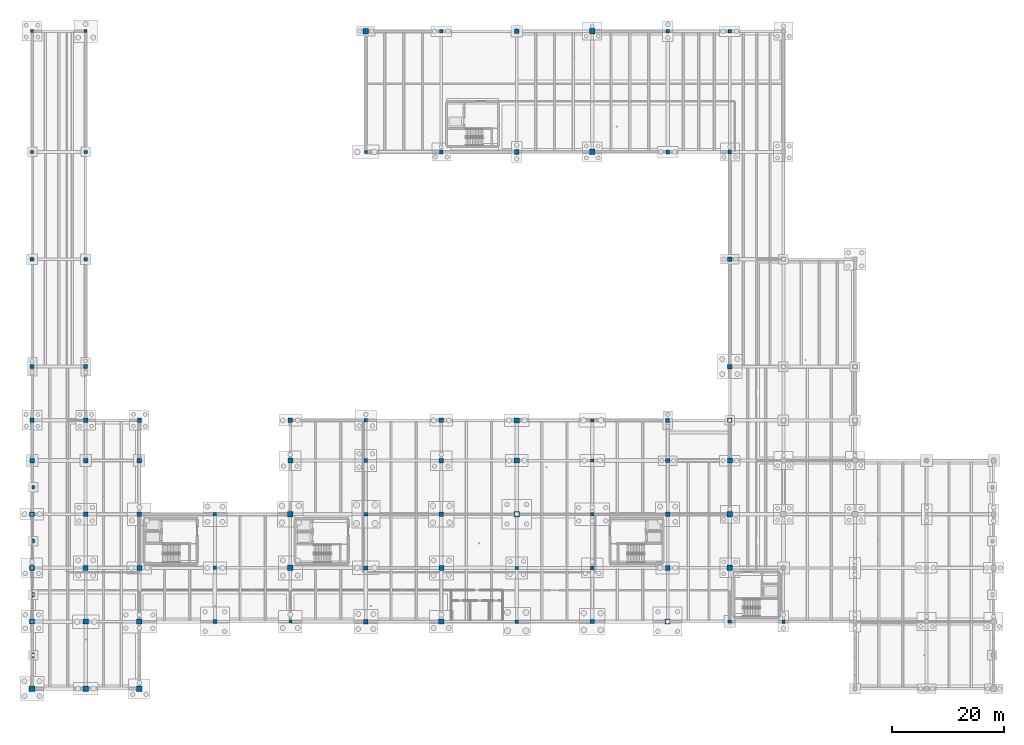
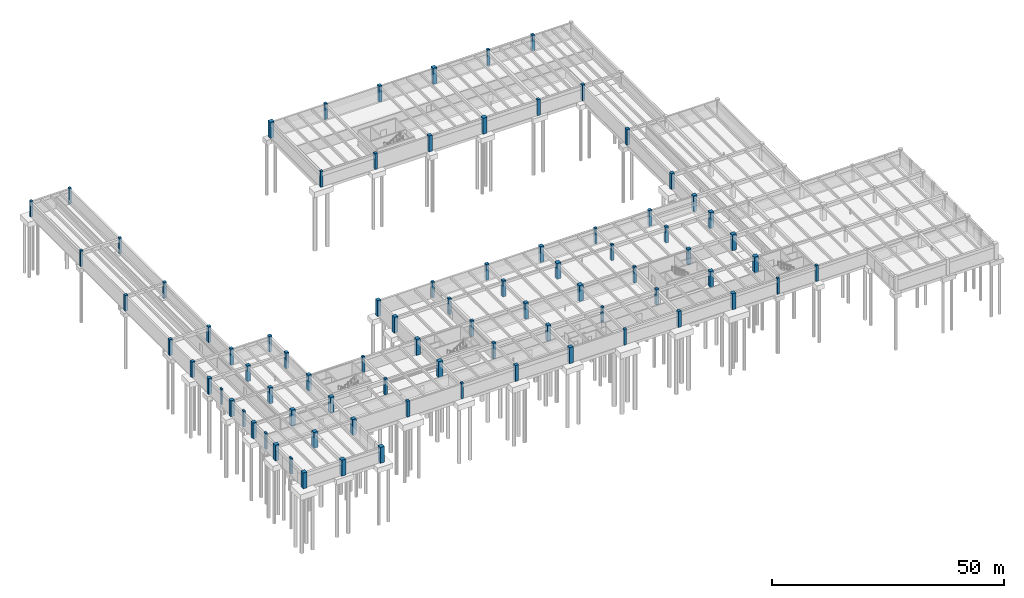
# One storey, part 7 of 41: 83 columns.
"""IFC4 building model written with IfcOpenShell, lengths in metres."""

from ifc_helpers import new_model, si_unit, direction, frame, origin, origin_2d, place, context, subcontext, project, spatial, rectangle, extrude, material, material_profile, profile_set, type_object, element, save


model = new_model("IFC4")

# Units and contexts
model_context = context("Model", 3, precision=1e-05, world=origin(), true_north=direction((0.0, 1.0)))
body_context = subcontext(model_context, "Body", "Model", "MODEL_VIEW")
ifc_project = project(units=[si_unit("LENGTHUNIT", "METRE"), si_unit("AREAUNIT", "SQUARE_METRE"), si_unit("VOLUMEUNIT", "CUBIC_METRE"), si_unit("PLANEANGLEUNIT", "RADIAN"), si_unit("MASSUNIT", "GRAM", prefix="KILO")], contexts=[model_context])

# Site, building, storey
site_placement = place(None, origin())
site = spatial("IfcSite", under=ifc_project, at=site_placement, CompositionType="ELEMENT")
building_placement = place(site_placement, origin())
building = spatial("IfcBuilding", under=site, at=building_placement, Name="Fikremerkos Civic Library", CompositionType="ELEMENT")
storey_placement = place(building_placement, frame((0.0, 0.0, -8.39990234375)))
storey = spatial("IfcBuildingStorey", under=building, at=storey_placement, Name="B02", CompositionType="ELEMENT", Elevation=-8.39990234375)

# Columns
ifc_material_1 = material(Name="Concrete C45/55", Category="concrete")
ifc_material_profile_1 = material_profile(ifc_material_1, rectangle(XDim=1.0, YDim=1.0, at=origin_2d()), Name="RC 1000x1000")
ifc_profile_set_1 = profile_set([ifc_material_profile_1], Name="Concrete C45/55")
column_type_1 = type_object("IfcColumnType", Name="Structural column COL-01 RC 1000x1000", PredefinedType="COLUMN", material=ifc_profile_set_1)
for number, where, z_axis, x_axis, name in (
    (1, (0.0, 0.0, 0.0), (0.0, 0.0, 1.0), (1.0, 0.0, 0.0), "Column COL-01 B02 1/A"),
    (2, (9.60009765625, 0.0, 0.0), (0.0, 0.0, 1.0), (1.0, 0.0, 0.0), "Column COL-01 B02 2/A"),
    (3, (19.199951171875, 0.0, 0.0), (0.0, 0.0, 1.0), (1.0, 0.0, 0.0), "Column COL-01 B02 3/A"),
    (4, (46.199951171875, 21.60009765625, 0.0), (0.0, 0.0, 1.0), (1.0, 0.0, 0.0), "Column COL-01 B02 5/F"),
    (5, (59.699951171875, 117.60009765625, 0.0), (0.0, 0.0, 1.0), (1.0, 0.0, 0.0), "Column COL-01 B02 6/N"),
    (6, (86.699951171875, 31.199951171875, 0.0), (0.0, 0.0, 1.0), (1.0, 0.0, 0.0), "Column COL-01 B02 8/G"),
    (7, (100.199951171875, 96.0, 0.0), (0.0, 0.0, 1.0), (1.0, 0.0, 0.0), "Column COL-01 B02 9/M"),
    (8, (124.800048828125, 21.60009765625, 0.0), (0.0, 0.0, 1.0), (1.0, 0.0, 0.0), "Column COL-01 B02 11/F"),
):
    element("IfcColumn", number, at=place(storey_placement, frame(where, z_axis=z_axis, x_axis=x_axis)), inside=storey, type_object=column_type_1, Name=name, PredefinedType="COLUMN", context=body_context, shape_type="SweptSolid", body=[
        extrude(rectangle(XDim=1.0, YDim=1.0, at=origin_2d()), origin(), (0.0, 0.0, 1.0), 4.199951171875),
    ])
ifc_material_profile_2 = material_profile(ifc_material_1, rectangle(XDim=0.949951171875, YDim=0.949951171875, at=origin_2d()), Name="RC 950x950")
ifc_profile_set_2 = profile_set([ifc_material_profile_2], Name="Concrete C45/55")
column_type_2 = type_object("IfcColumnType", Name="Structural column COL-02 RC 950x950", PredefinedType="COLUMN", material=ifc_profile_set_2)
for number, where, z_axis, x_axis, name in (
    (9, (0.0, 12.0, 0.0), (0.0, 0.0, 1.0), (1.0, 0.0, 0.0), "Column COL-02 B02 1/E"),
    (10, (9.60009765625, 12.0, 0.0), (0.0, 0.0, 1.0), (1.0, 0.0, 0.0), "Column COL-02 B02 2/E"),
    (11, (19.199951171875, 12.0, 0.0), (0.0, 0.0, 1.0), (1.0, 0.0, 0.0), "Column COL-02 B02 3/E"),
    (12, (46.199951171875, 31.199951171875, 0.0), (0.0, 0.0, 1.0), (1.0, 0.0, 0.0), "Column COL-02 B02 5/G"),
    (13, (73.199951171875, 12.0, 0.0), (0.0, 0.0, 1.0), (1.0, 0.0, 0.0), "Column COL-02 B02 7/E"),
    (14, (86.699951171875, 40.800048828125, 0.0), (0.0, 0.0, 1.0), (1.0, 0.0, 0.0), "Column COL-02 B02 8/H"),
    (15, (100.199951171875, 117.60009765625, 0.0), (0.0, 0.0, 1.0), (1.0, 0.0, 0.0), "Column COL-02 B02 9/N"),
    (16, (124.800048828125, 31.199951171875, 0.0), (0.0, 0.0, 1.0), (1.0, 0.0, 0.0), "Column COL-02 B02 11/G"),
):
    element("IfcColumn", number, at=place(storey_placement, frame(where, z_axis=z_axis, x_axis=x_axis)), inside=storey, type_object=column_type_2, Name=name, PredefinedType="COLUMN", context=body_context, shape_type="SweptSolid", body=[
        extrude(rectangle(XDim=0.949951171875, YDim=0.949951171875, at=origin_2d()), origin(), (0.0, 0.0, 1.0), 4.199951171875),
    ])
ifc_material_profile_3 = material_profile(ifc_material_1, rectangle(XDim=0.89990234375, YDim=0.89990234375, at=origin_2d()), Name="RC 900x900")
ifc_profile_set_3 = profile_set([ifc_material_profile_3], Name="Concrete C45/55")
column_type_3 = type_object("IfcColumnType", Name="Structural column COL-03 RC 900x900", PredefinedType="COLUMN", material=ifc_profile_set_3)
for number, where, z_axis, x_axis, name in (
    (17, (0.0, 21.60009765625, 0.0), (0.0, 0.0, 1.0), (1.0, 0.0, 0.0), "Column COL-03 B02 1/F"),
    (18, (9.60009765625, 21.60009765625, 0.0), (0.0, 0.0, 1.0), (1.0, 0.0, 0.0), "Column COL-03 B02 2/F"),
    (19, (19.199951171875, 21.60009765625, 0.0), (0.0, 0.0, 1.0), (1.0, 0.0, 0.0), "Column COL-03 B02 3/F"),
    (20, (46.199951171875, 40.800048828125, 0.0), (0.0, 0.0, 1.0), (1.0, 0.0, 0.0), "Column COL-03 B02 5/H"),
    (21, (73.199951171875, 21.60009765625, 0.0), (0.0, 0.0, 1.0), (1.0, 0.0, 0.0), "Column COL-03 B02 7/F"),
    (22, (86.699951171875, 48.0, 0.0), (0.0, 0.0, 1.0), (1.0, 0.0, 0.0), "Column COL-03 B02 8/J"),
    (23, (113.699951171875, 12.0, 0.0), (0.0, 0.0, 1.0), (1.0, 0.0, 0.0), "Column COL-03 B02 10/E"),
    (24, (124.800048828125, 40.800048828125, 0.0), (0.0, 0.0, 1.0), (1.0, 0.0, 0.0), "Column COL-03 B02 11/H"),
):
    element("IfcColumn", number, at=place(storey_placement, frame(where, z_axis=z_axis, x_axis=x_axis)), inside=storey, type_object=column_type_3, Name=name, PredefinedType="COLUMN", context=body_context, shape_type="SweptSolid", body=[
        extrude(rectangle(XDim=0.89990234375, YDim=0.89990234375, at=origin_2d()), origin(), (0.0, 0.0, 1.0), 4.199951171875),
    ])
ifc_material_2 = material(Name="Concrete C40/50", Category="concrete")
ifc_material_profile_4 = material_profile(ifc_material_2, rectangle(XDim=0.85009765625, YDim=0.85009765625, at=origin_2d()), Name="RC 850x850")
ifc_profile_set_4 = profile_set([ifc_material_profile_4], Name="Concrete C40/50")
column_type_4 = type_object("IfcColumnType", Name="Structural column COL-04 RC 850x850", PredefinedType="COLUMN", material=ifc_profile_set_4)
for number, where, z_axis, x_axis, name in (
    (25, (0.0, 31.199951171875, 0.0), (0.0, 0.0, 1.0), (1.0, 0.0, 0.0), "Column COL-04 B02 1/G"),
    (26, (9.60009765625, 31.199951171875, 0.0), (0.0, 0.0, 1.0), (1.0, 0.0, 0.0), "Column COL-04 B02 2/G"),
    (27, (19.199951171875, 31.199951171875, 0.0), (0.0, 0.0, 1.0), (1.0, 0.0, 0.0), "Column COL-04 B02 3/G"),
    (28, (46.199951171875, 48.0, 0.0), (0.0, 0.0, 1.0), (1.0, 0.0, 0.0), "Column COL-04 B02 5/J"),
    (29, (73.199951171875, 31.199951171875, 0.0), (0.0, 0.0, 1.0), (1.0, 0.0, 0.0), "Column COL-04 B02 7/G"),
    (30, (86.699951171875, 96.0, 0.0), (0.0, 0.0, 1.0), (1.0, 0.0, 0.0), "Column COL-04 B02 8/M"),
    (31, (113.699951171875, 21.60009765625, 0.0), (0.0, 0.0, 1.0), (1.0, 0.0, 0.0), "Column COL-04 B02 10/F"),
    (32, (124.800048828125, 48.0, 0.0), (0.0, 0.0, 1.0), (1.0, 0.0, 0.0), "Column COL-04 B02 11/J"),
):
    element("IfcColumn", number, at=place(storey_placement, frame(where, z_axis=z_axis, x_axis=x_axis)), inside=storey, type_object=column_type_4, Name=name, PredefinedType="COLUMN", context=body_context, shape_type="SweptSolid", body=[
        extrude(rectangle(XDim=0.85009765625, YDim=0.85009765625, at=origin_2d()), origin(), (0.0, 0.0, 1.0), 4.199951171875),
    ])
ifc_material_profile_5 = material_profile(ifc_material_2, rectangle(XDim=0.800048828125, YDim=0.800048828125, at=origin_2d()), Name="RC 800x800")
ifc_profile_set_5 = profile_set([ifc_material_profile_5], Name="Concrete C40/50")
column_type_5 = type_object("IfcColumnType", Name="Structural column COL-05 RC 800x800", PredefinedType="COLUMN", material=ifc_profile_set_5)
for number, where, z_axis, x_axis, name in (
    (33, (0.0, 40.800048828125, 0.0), (0.0, 0.0, 1.0), (1.0, 0.0, 0.0), "Column COL-05 B02 1/H"),
    (34, (9.60009765625, 40.800048828125, 0.0), (0.0, 0.0, 1.0), (1.0, 0.0, 0.0), "Column COL-05 B02 2/H"),
    (35, (19.199951171875, 40.800048828125, 0.0), (0.0, 0.0, 1.0), (1.0, 0.0, 0.0), "Column COL-05 B02 3/H"),
    (36, (59.699951171875, 12.0, 0.0), (0.0, 0.0, 1.0), (1.0, 0.0, 0.0), "Column COL-05 B02 6/E"),
    (37, (73.199951171875, 40.800048828125, 0.0), (0.0, 0.0, 1.0), (1.0, 0.0, 0.0), "Column COL-05 B02 7/H"),
    (38, (86.699951171875, 117.60009765625, 0.0), (0.0, 0.0, 1.0), (1.0, 0.0, 0.0), "Column COL-05 B02 8/N"),
    (39, (113.699951171875, 31.199951171875, 0.0), (0.0, 0.0, 1.0), (1.0, 0.0, 0.0), "Column COL-05 B02 10/G"),
    (40, (124.800048828125, 57.60009765625, 0.0), (0.0, 0.0, 1.0), (1.0, 0.0, 0.0), "Column COL-05 B02 11/K"),
):
    element("IfcColumn", number, at=place(storey_placement, frame(where, z_axis=z_axis, x_axis=x_axis)), inside=storey, type_object=column_type_5, Name=name, PredefinedType="COLUMN", context=body_context, shape_type="SweptSolid", body=[
        extrude(rectangle(XDim=0.800048828125, YDim=0.800048828125, at=origin_2d()), origin(), (0.0, 0.0, 1.0), 4.199951171875),
    ])
ifc_material_profile_6 = material_profile(ifc_material_2, rectangle(XDim=0.75, YDim=0.75, at=origin_2d()), Name="RC 750x750")
ifc_profile_set_6 = profile_set([ifc_material_profile_6], Name="Concrete C40/50")
column_type_6 = type_object("IfcColumnType", Name="Structural column COL-06 RC 750x750", PredefinedType="COLUMN", material=ifc_profile_set_6)
for number, where, z_axis, x_axis, name in (
    (41, (0.0, 48.0, 0.0), (0.0, 0.0, 1.0), (1.0, 0.0, 0.0), "Column COL-06 B02 1/J"),
    (42, (9.60009765625, 48.0, 0.0), (0.0, 0.0, 1.0), (1.0, 0.0, 0.0), "Column COL-06 B02 2/J"),
    (43, (19.199951171875, 48.0, 0.0), (0.0, 0.0, 1.0), (1.0, 0.0, 0.0), "Column COL-06 B02 3/J"),
    (44, (59.699951171875, 21.60009765625, 0.0), (0.0, 0.0, 1.0), (1.0, 0.0, 0.0), "Column COL-06 B02 6/F"),
    (45, (73.199951171875, 48.0, 0.0), (0.0, 0.0, 1.0), (1.0, 0.0, 0.0), "Column COL-06 B02 7/J"),
    (46, (100.199951171875, 12.0, 0.0), (0.0, 0.0, 1.0), (1.0, 0.0, 0.0), "Column COL-06 B02 9/E"),
    (47, (113.699951171875, 40.800048828125, 0.0), (0.0, 0.0, 1.0), (1.0, 0.0, 0.0), "Column COL-06 B02 10/H"),
    (48, (124.800048828125, 76.800048828125, 0.0), (0.0, 0.0, 1.0), (1.0, 0.0, 0.0), "Column COL-06 B02 11/L"),
):
    element("IfcColumn", number, at=place(storey_placement, frame(where, z_axis=z_axis, x_axis=x_axis)), inside=storey, type_object=column_type_6, Name=name, PredefinedType="COLUMN", context=body_context, shape_type="SweptSolid", body=[
        extrude(rectangle(XDim=0.75, YDim=0.75, at=origin_2d()), origin(), (0.0, 0.0, 1.0), 4.199951171875),
    ])
ifc_material_profile_7 = material_profile(ifc_material_2, rectangle(XDim=0.699951171875, YDim=0.699951171875, at=origin_2d()), Name="RC 700x700")
ifc_profile_set_7 = profile_set([ifc_material_profile_7], Name="Concrete C40/50")
column_type_7 = type_object("IfcColumnType", Name="Structural column COL-07 RC 700x700", PredefinedType="COLUMN", material=ifc_profile_set_7)
for number, where, z_axis, x_axis, name in (
    (49, (0.0, 57.60009765625, 0.0), (0.0, 0.0, 1.0), (1.0, 0.0, 0.0), "Column COL-07 B02 1/K"),
    (50, (9.60009765625, 57.60009765625, 0.0), (0.0, 0.0, 1.0), (1.0, 0.0, 0.0), "Column COL-07 B02 2/K"),
    (51, (32.699951171875, 12.0, 0.0), (0.0, 0.0, 1.0), (1.0, 0.0, 0.0), "Column COL-07 B02 4/E"),
    (52, (59.699951171875, 31.199951171875, 0.0), (0.0, 0.0, 1.0), (1.0, 0.0, 0.0), "Column COL-07 B02 6/G"),
    (53, (73.199951171875, 96.0, 0.0), (0.0, 0.0, 1.0), (1.0, 0.0, 0.0), "Column COL-07 B02 7/M"),
    (54, (100.199951171875, 21.60009765625, 0.0), (0.0, 0.0, 1.0), (1.0, 0.0, 0.0), "Column COL-07 B02 9/F"),
    (55, (113.699951171875, 48.0, 0.0), (0.0, 0.0, 1.0), (1.0, 0.0, 0.0), "Column COL-07 B02 10/J"),
    (56, (124.800048828125, 96.0, 0.0), (0.0, 0.0, 1.0), (1.0, 0.0, 0.0), "Column COL-07 B02 11/M"),
):
    element("IfcColumn", number, at=place(storey_placement, frame(where, z_axis=z_axis, x_axis=x_axis)), inside=storey, type_object=column_type_7, Name=name, PredefinedType="COLUMN", context=body_context, shape_type="SweptSolid", body=[
        extrude(rectangle(XDim=0.699951171875, YDim=0.699951171875, at=origin_2d()), origin(), (0.0, 0.0, 1.0), 4.199951171875),
    ])
ifc_material_profile_8 = material_profile(ifc_material_2, rectangle(XDim=0.64990234375, YDim=0.64990234375, at=origin_2d()), Name="RC 650x650")
ifc_profile_set_8 = profile_set([ifc_material_profile_8], Name="Concrete C40/50")
column_type_8 = type_object("IfcColumnType", Name="Structural column COL-08 RC 650x650", PredefinedType="COLUMN", material=ifc_profile_set_8)
for number, where, z_axis, x_axis, name in (
    (57, (0.0, 76.800048828125, 0.0), (0.0, 0.0, 1.0), (1.0, 0.0, 0.0), "Column COL-08 B02 1/L"),
    (58, (9.60009765625, 76.800048828125, 0.0), (0.0, 0.0, 1.0), (1.0, 0.0, 0.0), "Column COL-08 B02 2/L"),
    (59, (32.699951171875, 21.60009765625, 0.0), (0.0, 0.0, 1.0), (1.0, 0.0, 0.0), "Column COL-08 B02 4/F"),
    (60, (59.699951171875, 40.800048828125, 0.0), (0.0, 0.0, 1.0), (1.0, 0.0, 0.0), "Column COL-08 B02 6/H"),
    (61, (73.199951171875, 117.60009765625, 0.0), (0.0, 0.0, 1.0), (1.0, 0.0, 0.0), "Column COL-08 B02 7/N"),
    (62, (100.199951171875, 31.199951171875, 0.0), (0.0, 0.0, 1.0), (1.0, 0.0, 0.0), "Column COL-08 B02 9/G"),
    (63, (113.699951171875, 96.0, 0.0), (0.0, 0.0, 1.0), (1.0, 0.0, 0.0), "Column COL-08 B02 10/M"),
    (64, (124.800048828125, 117.60009765625, 0.0), (0.0, 0.0, 1.0), (1.0, 0.0, 0.0), "Column COL-08 B02 11/N"),
):
    element("IfcColumn", number, at=place(storey_placement, frame(where, z_axis=z_axis, x_axis=x_axis)), inside=storey, type_object=column_type_8, Name=name, PredefinedType="COLUMN", context=body_context, shape_type="SweptSolid", body=[
        extrude(rectangle(XDim=0.64990234375, YDim=0.64990234375, at=origin_2d()), origin(), (0.0, 0.0, 1.0), 4.199951171875),
    ])
ifc_material_profile_9 = material_profile(ifc_material_2, rectangle(XDim=0.60009765625, YDim=0.60009765625, at=origin_2d()), Name="RC 600x600")
ifc_profile_set_9 = profile_set([ifc_material_profile_9], Name="Concrete C40/50")
column_type_9 = type_object("IfcColumnType", Name="Structural column COL-09 RC 600x600", PredefinedType="COLUMN", material=ifc_profile_set_9)
for number, where, z_axis, x_axis, name in (
    (65, (0.0, 96.0, 0.0), (0.0, 0.0, 1.0), (1.0, 0.0, 0.0), "Column COL-09 B02 1/M"),
    (66, (9.60009765625, 96.0, 0.0), (0.0, 0.0, 1.0), (1.0, 0.0, 0.0), "Column COL-09 B02 2/M"),
    (67, (32.699951171875, 31.199951171875, 0.0), (0.0, 0.0, 1.0), (1.0, 0.0, 0.0), "Column COL-09 B02 4/G"),
    (68, (59.699951171875, 48.0, 0.0), (0.0, 0.0, 1.0), (1.0, 0.0, 0.0), "Column COL-09 B02 6/J"),
    (69, (86.699951171875, 12.0, 0.0), (0.0, 0.0, 1.0), (1.0, 0.0, 0.0), "Column COL-09 B02 8/E"),
    (70, (100.199951171875, 40.800048828125, 0.0), (0.0, 0.0, 1.0), (1.0, 0.0, 0.0), "Column COL-09 B02 9/H"),
    (71, (113.699951171875, 117.60009765625, 0.0), (0.0, 0.0, 1.0), (1.0, 0.0, 0.0), "Column COL-09 B02 10/N"),
    (72, (134.39990234375, 12.0, 0.0), (0.0, 0.0, 1.0), (1.0, 0.0, 0.0), "Column COL-09 B02 12/E"),
):
    element("IfcColumn", number, at=place(storey_placement, frame(where, z_axis=z_axis, x_axis=x_axis)), inside=storey, type_object=column_type_9, Name=name, PredefinedType="COLUMN", context=body_context, shape_type="SweptSolid", body=[
        extrude(rectangle(XDim=0.60009765625, YDim=0.60009765625, at=origin_2d()), origin(), (0.0, 0.0, 1.0), 4.199951171875),
    ])
ifc_material_profile_10 = material_profile(ifc_material_2, rectangle(XDim=0.550048828125, YDim=0.550048828125, at=origin_2d()), Name="RC 550x550")
ifc_profile_set_10 = profile_set([ifc_material_profile_10], Name="Concrete C40/50")
column_type_10 = type_object("IfcColumnType", Name="Structural column COL-10 RC 550x550", PredefinedType="COLUMN", material=ifc_profile_set_10)
for number, where, z_axis, x_axis, name in (
    (73, (0.0, 117.60009765625, 0.0), (0.0, 0.0, 1.0), (1.0, 0.0, 0.0), "Column COL-10 B02 1/N"),
    (74, (9.60009765625, 117.60009765625, 0.0), (0.0, 0.0, 1.0), (1.0, 0.0, 0.0), "Column COL-10 B02 2/N"),
    (75, (46.199951171875, 12.0, 0.0), (0.0, 0.0, 1.0), (1.0, 0.0, 0.0), "Column COL-10 B02 5/E"),
    (76, (59.699951171875, 96.0, 0.0), (0.0, 0.0, 1.0), (1.0, 0.0, 0.0), "Column COL-10 B02 6/M"),
    (77, (86.699951171875, 21.60009765625, 0.0), (0.0, 0.0, 1.0), (1.0, 0.0, 0.0), "Column COL-10 B02 8/F"),
    (78, (100.199951171875, 48.0, 0.0), (0.0, 0.0, 1.0), (1.0, 0.0, 0.0), "Column COL-10 B02 9/J"),
    (79, (124.800048828125, 12.0, 0.0), (0.0, 0.0, 1.0), (1.0, 0.0, 0.0), "Column COL-10 B02 11/E"),
):
    element("IfcColumn", number, at=place(storey_placement, frame(where, z_axis=z_axis, x_axis=x_axis)), inside=storey, type_object=column_type_10, Name=name, PredefinedType="COLUMN", context=body_context, shape_type="SweptSolid", body=[
        extrude(rectangle(XDim=0.550048828125, YDim=0.550048828125, at=origin_2d()), origin(), (0.0, 0.0, 1.0), 4.199951171875),
    ])
ifc_material_profile_11 = material_profile(ifc_material_2, rectangle(XDim=0.449951171875, YDim=0.800048828125, at=origin_2d()), Name="RC 450x800")
ifc_profile_set_11 = profile_set([ifc_material_profile_11], Name="Concrete C40/50")
column_type_11 = type_object("IfcColumnType", Name="Wall pilaster PIL-01 RC 450x800", PredefinedType="PILASTER", material=ifc_profile_set_11)
for number, where, z_axis, x_axis, name in (
    (80, (0.219970703125, 6.0, 0.0), (0.0, 0.0, 1.0), (1.0, 0.0, 0.0), "Wall pilaster PIL-01 B02 W1"),
    (81, (0.219970703125, 16.800048828125, 0.0), (0.0, 0.0, 1.0), (1.0, 0.0, 0.0), "Wall pilaster PIL-01 B02 W2"),
):
    element("IfcColumn", number, at=place(storey_placement, frame(where, z_axis=z_axis, x_axis=x_axis)), inside=storey, type_object=column_type_11, Name=name, PredefinedType="PILASTER", context=body_context, shape_type="SweptSolid", body=[
        extrude(rectangle(XDim=0.449951171875, YDim=0.800048828125, at=origin_2d()), origin(), (0.0, 0.0, 1.0), 4.199951171875),
    ])
ifc_material_profile_12 = material_profile(ifc_material_2, rectangle(XDim=0.39990234375, YDim=0.75, at=origin_2d()), Name="RC 400x750")
ifc_profile_set_12 = profile_set([ifc_material_profile_12], Name="Concrete C40/50")
column_type_12 = type_object("IfcColumnType", Name="Wall pilaster PIL-02 RC 400x750", PredefinedType="PILASTER", material=ifc_profile_set_12)
column_1_placement = place(storey_placement, frame((0.219970703125, 26.39990234375, 0.0), z_axis=(0.0, 0.0, 1.0), x_axis=(1.0, 0.0, 0.0)))
element("IfcColumn", 82, at=column_1_placement, inside=storey, type_object=column_type_12, Name="Wall pilaster PIL-02 B02 W3", PredefinedType="PILASTER", context=body_context, shape_type="SweptSolid", body=[
    extrude(rectangle(XDim=0.39990234375, YDim=0.75, at=origin_2d()), origin(), (0.0, 0.0, 1.0), 4.199951171875),
])
ifc_material_profile_13 = material_profile(ifc_material_2, rectangle(XDim=0.39990234375, YDim=0.64990234375, at=origin_2d()), Name="RC 400x650")
ifc_profile_set_13 = profile_set([ifc_material_profile_13], Name="Concrete C40/50")
column_type_13 = type_object("IfcColumnType", Name="Wall pilaster PIL-03 RC 400x650", PredefinedType="PILASTER", material=ifc_profile_set_13)
column_2_placement = place(storey_placement, frame((0.219970703125, 36.0, 0.0), z_axis=(0.0, 0.0, 1.0), x_axis=(1.0, 0.0, 0.0)))
element("IfcColumn", 83, at=column_2_placement, inside=storey, type_object=column_type_13, Name="Wall pilaster PIL-03 B02 W4", PredefinedType="PILASTER", context=body_context, shape_type="SweptSolid", body=[
    extrude(rectangle(XDim=0.39990234375, YDim=0.64990234375, at=origin_2d()), origin(), (0.0, 0.0, 1.0), 4.199951171875),
])

save(model, "model.ifc")
